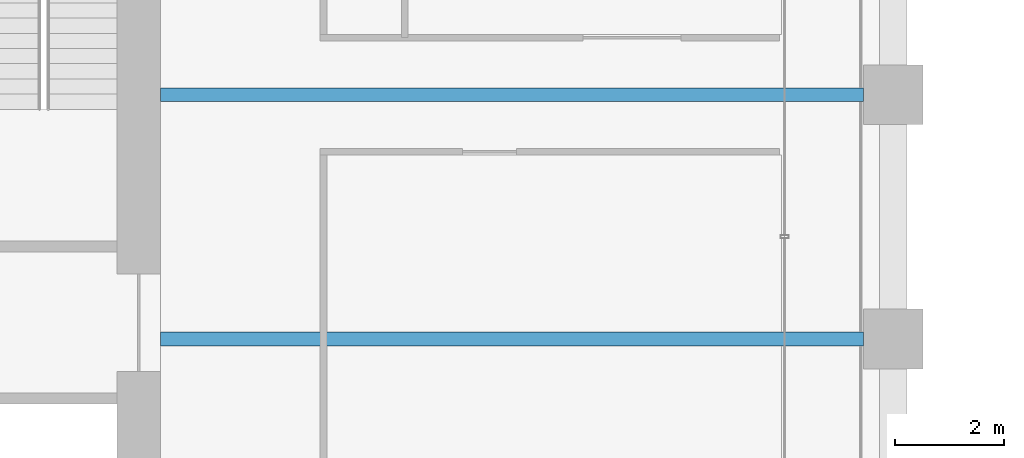
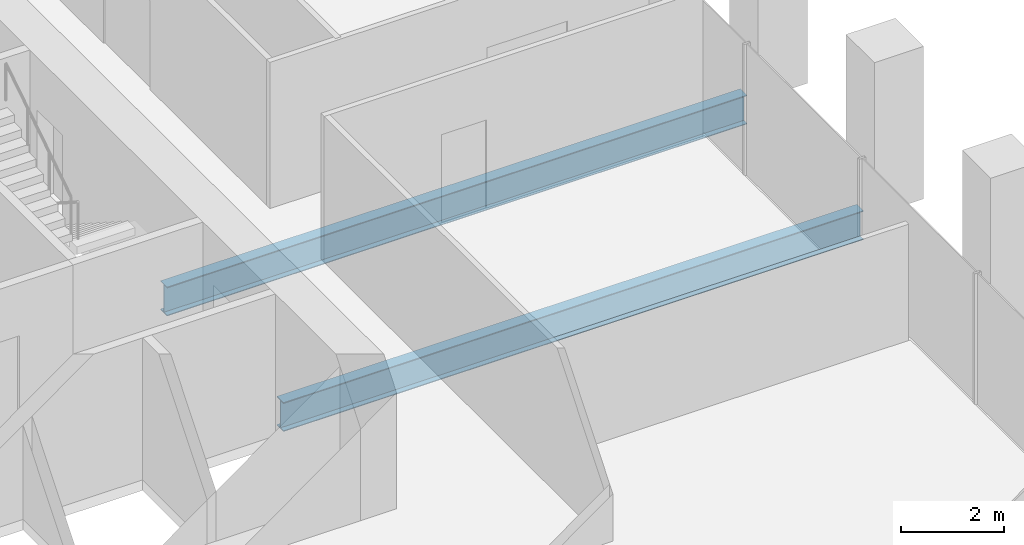
# One storey, part 19 of 54: 2 beams.
"""IFC4 building model written with IfcOpenShell, lengths in metres."""

from ifc_helpers import new_model, si_unit, direction, frame, origin, origin_2d, place, context, subcontext, project, spatial, i_section, extrude, material, material_profile, profile_set, type_object, element, save


model = new_model("IFC4")

# Units and contexts
model_context = context("Model", 3, precision=1e-05, world=origin(), true_north=direction((0.0, 1.0)))
body_context = subcontext(model_context, "Body", "Model", "MODEL_VIEW")
ifc_project = project(units=[si_unit("LENGTHUNIT", "METRE"), si_unit("AREAUNIT", "SQUARE_METRE"), si_unit("VOLUMEUNIT", "CUBIC_METRE"), si_unit("PLANEANGLEUNIT", "RADIAN"), si_unit("MASSUNIT", "GRAM", prefix="KILO")], contexts=[model_context])

# Site, building, storey
site_placement = place(None, origin())
site = spatial("IfcSite", under=ifc_project, at=site_placement, CompositionType="ELEMENT")
building_placement = place(site_placement, origin())
building = spatial("IfcBuilding", under=site, at=building_placement, Name="Altepetl Exchange Towers", CompositionType="ELEMENT")
storey_placement = place(building_placement, frame((0.0, 0.0, 65.39990234375)))
storey = spatial("IfcBuildingStorey", under=building, at=storey_placement, Name="L15", CompositionType="ELEMENT", Elevation=65.39990234375)

# Beams
ifc_material = material(Name="Steel S355", Category="steel")
ifc_material_profile = material_profile(ifc_material, i_section(OverallWidth=0.25390625, OverallDepth=0.68408203125, WebThickness=0.012451171875, FlangeThickness=0.018798828125, at=origin_2d()), Name="W27X94")
ifc_profile_set = profile_set([ifc_material_profile], Name="Steel S355")
beam_type = type_object("IfcBeamType", Name="Floor beam W27X94", PredefinedType="BEAM", material=ifc_profile_set)
for number, where, z_axis, x_axis, name in (
    (1, (58.5, 45.0, -0.491943359375), (1.0, 0.0, 0.0), (0.0, 1.0, 0.0), "bm:A:L15:009"),
    (2, (58.5, 49.5, -0.491943359375), (1.0, 0.0, 0.0), (0.0, 1.0, 0.0), "bm:A:L15:010"),
):
    element("IfcBeam", number, at=place(storey_placement, frame(where, z_axis=z_axis, x_axis=x_axis)), inside=storey, type_object=beam_type, Name=name, PredefinedType="BEAM", context=body_context, shape_type="SweptSolid", body=[
        extrude(i_section(OverallWidth=0.25390625, OverallDepth=0.68408203125, WebThickness=0.012451171875, FlangeThickness=0.018798828125, at=origin_2d()), origin(), (0.0, 0.0, 1.0), 12.949951171875),
    ])

save(model, "model.ifc")
